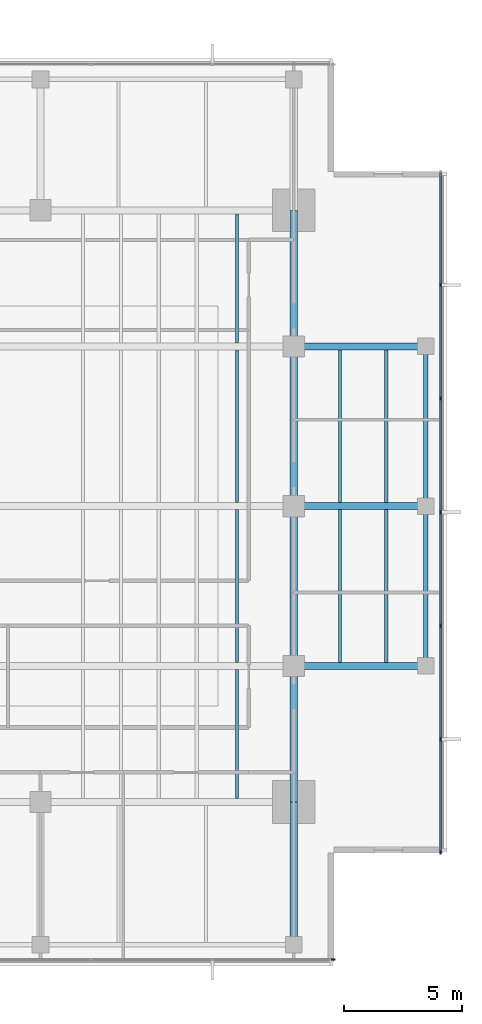
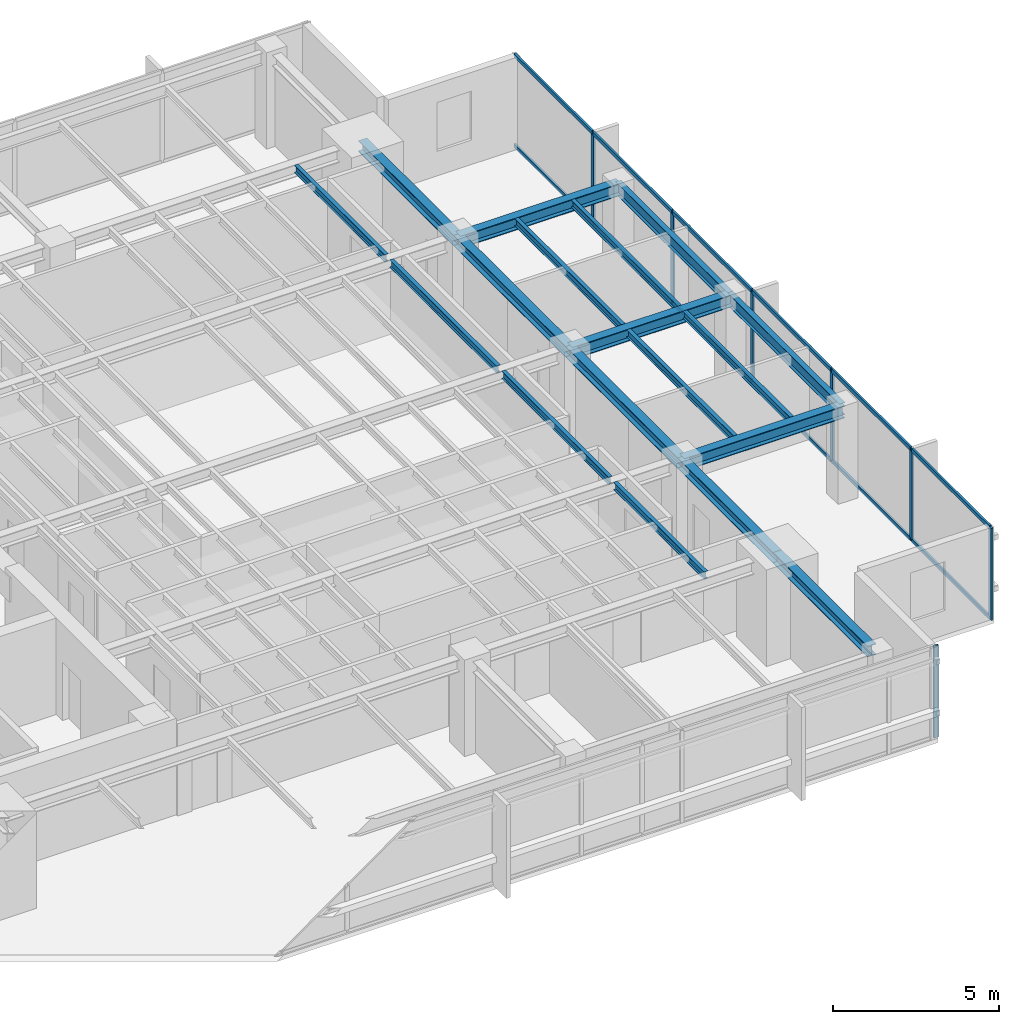
# One storey, part 4 of 14: 19 members, 18 beams, 2 elements without a shape of their own.
"""IFC4 building model written with IfcOpenShell, lengths in metres."""

from ifc_helpers import new_model, si_unit, direction, frame, origin, origin_2d, place, context, subcontext, project, spatial, rectangle, i_section, extrude, material, layer, layer_set, material_profile, profile_set, type_object, element, aggregate, save


model = new_model("IFC4")

# Units and contexts
model_context = context("Model", 3, precision=1e-05, world=origin(), true_north=direction((0.0, 1.0)))
body_context = subcontext(model_context, "Body", "Model", "MODEL_VIEW")
ifc_project = project(units=[si_unit("LENGTHUNIT", "METRE"), si_unit("AREAUNIT", "SQUARE_METRE"), si_unit("VOLUMEUNIT", "CUBIC_METRE"), si_unit("PLANEANGLEUNIT", "RADIAN"), si_unit("MASSUNIT", "GRAM", prefix="KILO")], contexts=[model_context])

# Site, building, storey
site_placement = place(None, origin())
site = spatial("IfcSite", under=ifc_project, at=site_placement, CompositionType="ELEMENT")
building_placement = place(site_placement, origin())
building = spatial("IfcBuilding", under=site, at=building_placement, Name="Kinhvarn Gate Tower", CompositionType="ELEMENT")
storey_placement = place(building_placement, frame((0.0, 0.0, 270.550048828125)))
storey = spatial("IfcBuildingStorey", under=building, at=storey_placement, Name="L72", CompositionType="ELEMENT", Elevation=270.550048828125)

# Curtain wall, member
ifc_material_1 = material(Name="Anodised aluminium AW-6063", Category="aluminium")
ifc_layer = layer(ifc_material_1, 0.179931640625)
ifc_layer_set = layer_set([ifc_layer], Name="Anodised aluminium AW-6063")
curtain_wall_type = type_object("IfcCurtainWallType", Name="CW-SYS-3", PredefinedType="NOTDEFINED", material=ifc_layer_set)
curtain_wall_1_placement = place(storey_placement, origin())
curtain_wall_1 = element("IfcCurtainWall", 1, at=curtain_wall_1_placement, inside=storey, type_object=curtain_wall_type, Name="Curtain Wall CW3 (L72)", PredefinedType="NOTDEFINED")
ifc_material_profile_1 = material_profile(ifc_material_1, rectangle(XDim=0.06494140625, YDim=0.159912109375, at=origin_2d()), Name="ALU 65x160")
ifc_profile_set_1 = profile_set([ifc_material_profile_1], Name="Anodised aluminium AW-6063")
member_type_1 = type_object("IfcMemberType", Name="CW-MUL-160", PredefinedType="MULLION", material=ifc_profile_set_1)
member_1_placement = place(storey_placement, frame((39.867431640625, 6.090087890625, 0.0), z_axis=(0.0, 0.0, 1.0), x_axis=(0.0, 1.0, 0.0)))
member_1 = element("IfcMember", 2, at=member_1_placement, type_object=member_type_1, Name="CW3 mullion 7", PredefinedType="MULLION", context=body_context, shape_type="SweptSolid", body=[
    extrude(rectangle(XDim=0.06494140625, YDim=0.159912109375, at=origin_2d()), origin(), (0.0, 0.0, 1.0), 3.389892578125),
])
aggregate(curtain_wall_1, [member_1])

# Curtain wall, members
curtain_wall_2_placement = place(storey_placement, origin())
curtain_wall_2 = element("IfcCurtainWall", 3, at=curtain_wall_2_placement, inside=storey, type_object=curtain_wall_type, Name="Curtain Wall CW3 (L72)", PredefinedType="NOTDEFINED")
member_2_placement = place(storey_placement, frame((44.409912109375, 10.632568359375, 0.0), z_axis=(0.0, 0.0, 1.0), x_axis=(-1.0, 0.0, 0.0)))
member_2 = element("IfcMember", 4, at=member_2_placement, type_object=member_type_1, Name="CW3 mullion 1", PredefinedType="MULLION", context=body_context, shape_type="SweptSolid", body=[
    extrude(rectangle(XDim=0.06494140625, YDim=0.159912109375, at=origin_2d()), origin(), (0.0, 0.0, 1.0), 3.389892578125),
])
member_3_placement = place(storey_placement, frame((44.409912109375, 15.39990234375, 0.0), z_axis=(0.0, 0.0, 1.0), x_axis=(-1.0, 0.0, 0.0)))
member_3 = element("IfcMember", 5, at=member_3_placement, type_object=member_type_1, Name="CW3 mullion 2", PredefinedType="MULLION", context=body_context, shape_type="SweptSolid", body=[
    extrude(rectangle(XDim=0.06494140625, YDim=0.159912109375, at=origin_2d()), origin(), (0.0, 0.0, 1.0), 3.389892578125),
])
member_4_placement = place(storey_placement, frame((44.409912109375, 20.199951171875, 0.0), z_axis=(0.0, 0.0, 1.0), x_axis=(-1.0, 0.0, 0.0)))
member_4 = element("IfcMember", 6, at=member_4_placement, type_object=member_type_1, Name="CW3 mullion 3", PredefinedType="MULLION", context=body_context, shape_type="SweptSolid", body=[
    extrude(rectangle(XDim=0.06494140625, YDim=0.159912109375, at=origin_2d()), origin(), (0.0, 0.0, 1.0), 3.389892578125),
])
member_5_placement = place(storey_placement, frame((44.409912109375, 25.0, 0.0), z_axis=(0.0, 0.0, 1.0), x_axis=(-1.0, 0.0, 0.0)))
member_5 = element("IfcMember", 7, at=member_5_placement, type_object=member_type_1, Name="CW3 mullion 4", PredefinedType="MULLION", context=body_context, shape_type="SweptSolid", body=[
    extrude(rectangle(XDim=0.06494140625, YDim=0.159912109375, at=origin_2d()), origin(), (0.0, 0.0, 1.0), 3.389892578125),
])
member_6_placement = place(storey_placement, frame((44.409912109375, 29.800048828125, 0.0), z_axis=(0.0, 0.0, 1.0), x_axis=(-1.0, 0.0, 0.0)))
member_6 = element("IfcMember", 8, at=member_6_placement, type_object=member_type_1, Name="CW3 mullion 5", PredefinedType="MULLION", context=body_context, shape_type="SweptSolid", body=[
    extrude(rectangle(XDim=0.06494140625, YDim=0.159912109375, at=origin_2d()), origin(), (0.0, 0.0, 1.0), 3.389892578125),
])
member_7_placement = place(storey_placement, frame((44.409912109375, 34.60009765625, 0.0), z_axis=(0.0, 0.0, 1.0), x_axis=(-1.0, 0.0, 0.0)))
member_7 = element("IfcMember", 9, at=member_7_placement, type_object=member_type_1, Name="CW3 mullion 6", PredefinedType="MULLION", context=body_context, shape_type="SweptSolid", body=[
    extrude(rectangle(XDim=0.06494140625, YDim=0.159912109375, at=origin_2d()), origin(), (0.0, 0.0, 1.0), 3.389892578125),
])
ifc_material_profile_2 = material_profile(ifc_material_1, rectangle(XDim=0.070068359375, YDim=0.139892578125, at=origin_2d()), Name="ALU 70x140")
ifc_profile_set_2 = profile_set([ifc_material_profile_2], Name="Anodised aluminium AW-6063")
member_type_2 = type_object("IfcMemberType", Name="CW-TRN-140", PredefinedType="USERDEFINED", material=ifc_profile_set_2)
member_8_placement = place(storey_placement, frame((44.409912109375, 10.6650390625, 0.034912109375), z_axis=(0.0, 1.0, 0.0), x_axis=(-1.0, 0.0, 0.0)))
member_8 = element("IfcMember", 10, at=member_8_placement, type_object=member_type_2, Name="CW3 transom 1.1", ObjectType="TRANSOM", PredefinedType="USERDEFINED", context=body_context, shape_type="SweptSolid", body=[
    extrude(rectangle(XDim=0.070068359375, YDim=0.139892578125, at=origin_2d()), origin(), (0.0, 0.0, 1.0), 4.702392578125),
])
member_9_placement = place(storey_placement, frame((44.409912109375, 10.6650390625, 3.35498046875), z_axis=(0.0, 1.0, 0.0), x_axis=(-1.0, 0.0, 0.0)))
member_9 = element("IfcMember", 11, at=member_9_placement, type_object=member_type_2, Name="CW3 transom 1.2", ObjectType="TRANSOM", PredefinedType="USERDEFINED", context=body_context, shape_type="SweptSolid", body=[
    extrude(rectangle(XDim=0.070068359375, YDim=0.139892578125, at=origin_2d()), origin(), (0.0, 0.0, 1.0), 4.702392578125),
])
member_10_placement = place(storey_placement, frame((44.409912109375, 15.4326171875, 0.034912109375), z_axis=(0.0, 1.0, 0.0), x_axis=(-1.0, 0.0, 0.0)))
member_10 = element("IfcMember", 12, at=member_10_placement, type_object=member_type_2, Name="CW3 transom 2.1", ObjectType="TRANSOM", PredefinedType="USERDEFINED", context=body_context, shape_type="SweptSolid", body=[
    extrude(rectangle(XDim=0.070068359375, YDim=0.139892578125, at=origin_2d()), origin(), (0.0, 0.0, 1.0), 4.73486328125),
])
member_11_placement = place(storey_placement, frame((44.409912109375, 15.4326171875, 3.35498046875), z_axis=(0.0, 1.0, 0.0), x_axis=(-1.0, 0.0, 0.0)))
member_11 = element("IfcMember", 13, at=member_11_placement, type_object=member_type_2, Name="CW3 transom 2.2", ObjectType="TRANSOM", PredefinedType="USERDEFINED", context=body_context, shape_type="SweptSolid", body=[
    extrude(rectangle(XDim=0.070068359375, YDim=0.139892578125, at=origin_2d()), origin(), (0.0, 0.0, 1.0), 4.73486328125),
])
member_12_placement = place(storey_placement, frame((44.409912109375, 20.232421875, 0.034912109375), z_axis=(0.0, 1.0, 0.0), x_axis=(-1.0, 0.0, 0.0)))
member_12 = element("IfcMember", 14, at=member_12_placement, type_object=member_type_2, Name="CW3 transom 3.1", ObjectType="TRANSOM", PredefinedType="USERDEFINED", context=body_context, shape_type="SweptSolid", body=[
    extrude(rectangle(XDim=0.070068359375, YDim=0.139892578125, at=origin_2d()), origin(), (0.0, 0.0, 1.0), 4.735107421875),
])
member_13_placement = place(storey_placement, frame((44.409912109375, 20.232421875, 3.35498046875), z_axis=(0.0, 1.0, 0.0), x_axis=(-1.0, 0.0, 0.0)))
member_13 = element("IfcMember", 15, at=member_13_placement, type_object=member_type_2, Name="CW3 transom 3.2", ObjectType="TRANSOM", PredefinedType="USERDEFINED", context=body_context, shape_type="SweptSolid", body=[
    extrude(rectangle(XDim=0.070068359375, YDim=0.139892578125, at=origin_2d()), origin(), (0.0, 0.0, 1.0), 4.735107421875),
])
member_14_placement = place(storey_placement, frame((44.409912109375, 25.032470703125, 0.034912109375), z_axis=(0.0, 1.0, 0.0), x_axis=(-1.0, 0.0, 0.0)))
member_14 = element("IfcMember", 16, at=member_14_placement, type_object=member_type_2, Name="CW3 transom 4.1", ObjectType="TRANSOM", PredefinedType="USERDEFINED", context=body_context, shape_type="SweptSolid", body=[
    extrude(rectangle(XDim=0.070068359375, YDim=0.139892578125, at=origin_2d()), origin(), (0.0, 0.0, 1.0), 4.735107421875),
])
member_15_placement = place(storey_placement, frame((44.409912109375, 25.032470703125, 3.35498046875), z_axis=(0.0, 1.0, 0.0), x_axis=(-1.0, 0.0, 0.0)))
member_15 = element("IfcMember", 17, at=member_15_placement, type_object=member_type_2, Name="CW3 transom 4.2", ObjectType="TRANSOM", PredefinedType="USERDEFINED", context=body_context, shape_type="SweptSolid", body=[
    extrude(rectangle(XDim=0.070068359375, YDim=0.139892578125, at=origin_2d()), origin(), (0.0, 0.0, 1.0), 4.735107421875),
])
member_16_placement = place(storey_placement, frame((44.409912109375, 29.83251953125, 0.034912109375), z_axis=(0.0, 1.0, 0.0), x_axis=(-1.0, 0.0, 0.0)))
member_16 = element("IfcMember", 18, at=member_16_placement, type_object=member_type_2, Name="CW3 transom 5.1", ObjectType="TRANSOM", PredefinedType="USERDEFINED", context=body_context, shape_type="SweptSolid", body=[
    extrude(rectangle(XDim=0.070068359375, YDim=0.139892578125, at=origin_2d()), origin(), (0.0, 0.0, 1.0), 4.73486328125),
])
member_17_placement = place(storey_placement, frame((44.409912109375, 29.83251953125, 3.35498046875), z_axis=(0.0, 1.0, 0.0), x_axis=(-1.0, 0.0, 0.0)))
member_17 = element("IfcMember", 19, at=member_17_placement, type_object=member_type_2, Name="CW3 transom 5.2", ObjectType="TRANSOM", PredefinedType="USERDEFINED", context=body_context, shape_type="SweptSolid", body=[
    extrude(rectangle(XDim=0.070068359375, YDim=0.139892578125, at=origin_2d()), origin(), (0.0, 0.0, 1.0), 4.73486328125),
])
member_18_placement = place(storey_placement, frame((44.409912109375, 34.632568359375, 0.034912109375), z_axis=(0.0, 1.0, 0.0), x_axis=(-1.0, 0.0, 0.0)))
member_18 = element("IfcMember", 20, at=member_18_placement, type_object=member_type_2, Name="CW3 transom 6.1", ObjectType="TRANSOM", PredefinedType="USERDEFINED", context=body_context, shape_type="SweptSolid", body=[
    extrude(rectangle(XDim=0.070068359375, YDim=0.139892578125, at=origin_2d()), origin(), (0.0, 0.0, 1.0), 4.702392578125),
])
member_19_placement = place(storey_placement, frame((44.409912109375, 34.632568359375, 3.35498046875), z_axis=(0.0, 1.0, 0.0), x_axis=(-1.0, 0.0, 0.0)))
member_19 = element("IfcMember", 21, at=member_19_placement, type_object=member_type_2, Name="CW3 transom 6.2", ObjectType="TRANSOM", PredefinedType="USERDEFINED", context=body_context, shape_type="SweptSolid", body=[
    extrude(rectangle(XDim=0.070068359375, YDim=0.139892578125, at=origin_2d()), origin(), (0.0, 0.0, 1.0), 4.702392578125),
])
aggregate(curtain_wall_2, [member_2, member_3, member_4, member_5, member_6, member_7, member_8, member_9, member_10, member_11, member_12, member_13, member_14, member_15, member_16, member_17, member_18, member_19])

# Beams
ifc_material_2 = material(Name="Steel S355", Category="steel")
ifc_material_profile_3 = material_profile(ifc_material_2, i_section(OverallWidth=0.300048828125, OverallDepth=0.39990234375, WebThickness=0.013427734375, FlangeThickness=0.02392578125, at=origin_2d()), Name="HEB 400")
ifc_profile_set_3 = profile_set([ifc_material_profile_3], Name="Steel S355")
beam_type_1 = type_object("IfcBeamType", Name="STL-HEB400", PredefinedType="BEAM", material=ifc_profile_set_3)
beam_1_placement = place(storey_placement, frame((38.199951171875, 7.054931640625, 3.18994140625), z_axis=(0.0, 1.0, 0.0), x_axis=(-1.0, 0.0, 0.0)))
element("IfcBeam", 22, at=beam_1_placement, inside=storey, type_object=beam_type_1, Name="Floor Beam PG-12 (L72 MCE-S)", PredefinedType="BEAM", context=body_context, shape_type="SweptSolid", body=[
    extrude(i_section(OverallWidth=0.300048828125, OverallDepth=0.39990234375, WebThickness=0.013427734375, FlangeThickness=0.02392578125, at=origin_2d()), origin(), (0.0, 0.0, 1.0), 5.695068359375),
])
beam_2_placement = place(storey_placement, frame((38.199951171875, 12.75, 3.18994140625), z_axis=(0.0, 1.0, 0.0), x_axis=(-1.0, 0.0, 0.0)))
element("IfcBeam", 23, at=beam_2_placement, inside=storey, type_object=beam_type_1, Name="Floor Beam PG-12 (L72 MG-E-12)", PredefinedType="BEAM", context=body_context, shape_type="SweptSolid", body=[
    extrude(i_section(OverallWidth=0.300048828125, OverallDepth=0.39990234375, WebThickness=0.013427734375, FlangeThickness=0.02392578125, at=origin_2d()), origin(), (0.0, 0.0, 1.0), 5.75),
])
for number, where, z_axis, x_axis, name in (
    (24, (38.199951171875, 18.5, 3.18994140625), (0.0, 1.0, 0.0), (-1.0, 0.0, 0.0), "Floor Beam PG-12 (L72 MG-E-18)"),
    (25, (38.199951171875, 25.25, 3.18994140625), (0.0, 1.0, 0.0), (-1.0, 0.0, 0.0), "Floor Beam PG-12 (L72 MG-E-25)"),
):
    element("IfcBeam", number, at=place(storey_placement, frame(where, z_axis=z_axis, x_axis=x_axis)), inside=storey, type_object=beam_type_1, Name=name, PredefinedType="BEAM", context=body_context, shape_type="SweptSolid", body=[
        extrude(i_section(OverallWidth=0.300048828125, OverallDepth=0.39990234375, WebThickness=0.013427734375, FlangeThickness=0.02392578125, at=origin_2d()), origin(), (0.0, 0.0, 1.0), 6.75),
    ])
beam_3_placement = place(storey_placement, frame((38.199951171875, 32.0, 3.18994140625), z_axis=(0.0, 1.0, 0.0), x_axis=(-1.0, 0.0, 0.0)))
element("IfcBeam", 26, at=beam_3_placement, inside=storey, type_object=beam_type_1, Name="Floor Beam PG-12 (L72 MG-E-32)", PredefinedType="BEAM", context=body_context, shape_type="SweptSolid", body=[
    extrude(i_section(OverallWidth=0.300048828125, OverallDepth=0.39990234375, WebThickness=0.013427734375, FlangeThickness=0.02392578125, at=origin_2d()), origin(), (0.0, 0.0, 1.0), 5.75),
])
ifc_material_profile_4 = material_profile(ifc_material_2, i_section(OverallWidth=0.300048828125, OverallDepth=0.449951171875, WebThickness=0.013916015625, FlangeThickness=0.02587890625, at=origin_2d()), Name="HEB 450")
ifc_profile_set_4 = profile_set([ifc_material_profile_4], Name="Steel S355")
beam_type_2 = type_object("IfcBeamType", Name="STL-HEB450", PredefinedType="BEAM", material=ifc_profile_set_4)
for number, where, z_axis, x_axis, name in (
    (27, (38.199951171875, 18.5, 3.1650390625), (1.0, 0.0, 0.0), (0.0, 1.0, 0.0), "Floor Beam PG-13 (L72 EW2-Y18)"),
    (28, (38.199951171875, 25.25, 3.1650390625), (1.0, 0.0, 0.0), (0.0, 1.0, 0.0), "Floor Beam PG-13 (L72 EW2-Y25)"),
    (29, (38.199951171875, 32.0, 3.1650390625), (1.0, 0.0, 0.0), (0.0, 1.0, 0.0), "Floor Beam PG-13 (L72 EW2-Y32)"),
):
    element("IfcBeam", number, at=place(storey_placement, frame(where, z_axis=z_axis, x_axis=x_axis)), inside=storey, type_object=beam_type_2, Name=name, PredefinedType="BEAM", context=body_context, shape_type="SweptSolid", body=[
        extrude(i_section(OverallWidth=0.300048828125, OverallDepth=0.449951171875, WebThickness=0.013916015625, FlangeThickness=0.02587890625, at=origin_2d()), origin(), (0.0, 0.0, 1.0), 5.580078125),
    ])
ifc_material_profile_5 = material_profile(ifc_material_2, i_section(OverallWidth=0.135009765625, OverallDepth=0.27001953125, WebThickness=0.006591796875, FlangeThickness=0.01025390625, at=origin_2d()), Name="IPE 270")
ifc_profile_set_5 = profile_set([ifc_material_profile_5], Name="Steel S355")
beam_type_3 = type_object("IfcBeamType", Name="STL-IPE270", PredefinedType="JOIST", material=ifc_profile_set_5)
beam_4_placement = place(storey_placement, frame((35.800048828125, 12.89990234375, 3.2548828125), z_axis=(0.0, 1.0, 0.0), x_axis=(-1.0, 0.0, 0.0)))
element("IfcBeam", 30, at=beam_4_placement, inside=storey, type_object=beam_type_3, Name="Floor Joist SB-01 (L72 JC-X358-0)", PredefinedType="JOIST", context=body_context, shape_type="SweptSolid", body=[
    extrude(i_section(OverallWidth=0.135009765625, OverallDepth=0.27001953125, WebThickness=0.006591796875, FlangeThickness=0.01025390625, at=origin_2d()), origin(), (0.0, 0.0, 1.0), 5.4501953125),
])
for number, where, z_axis, x_axis, name in (
    (31, (35.800048828125, 18.64990234375, 3.2548828125), (0.0, 1.0, 0.0), (-1.0, 0.0, 0.0), "Floor Joist SB-01 (L72 JC-X358-1)"),
    (32, (35.800048828125, 25.39990234375, 3.2548828125), (0.0, 1.0, 0.0), (-1.0, 0.0, 0.0), "Floor Joist SB-01 (L72 JC-X358-2)"),
):
    element("IfcBeam", number, at=place(storey_placement, frame(where, z_axis=z_axis, x_axis=x_axis)), inside=storey, type_object=beam_type_3, Name=name, PredefinedType="JOIST", context=body_context, shape_type="SweptSolid", body=[
        extrude(i_section(OverallWidth=0.135009765625, OverallDepth=0.27001953125, WebThickness=0.006591796875, FlangeThickness=0.01025390625, at=origin_2d()), origin(), (0.0, 0.0, 1.0), 6.4501953125),
    ])
beam_5_placement = place(storey_placement, frame((35.800048828125, 32.14990234375, 3.2548828125), z_axis=(0.0, 1.0, 0.0), x_axis=(-1.0, 0.0, 0.0)))
element("IfcBeam", 33, at=beam_5_placement, inside=storey, type_object=beam_type_3, Name="Floor Joist SB-01 (L72 JC-X358-3)", PredefinedType="JOIST", context=body_context, shape_type="SweptSolid", body=[
    extrude(i_section(OverallWidth=0.135009765625, OverallDepth=0.27001953125, WebThickness=0.006591796875, FlangeThickness=0.01025390625, at=origin_2d()), origin(), (0.0, 0.0, 1.0), 5.4501953125),
])
for number, where, z_axis, x_axis, name in (
    (34, (40.14990234375, 18.64990234375, 3.2548828125), (0.0, 1.0, 0.0), (-1.0, 0.0, 0.0), "Floor Joist SB-01 (L72 JC-X401-1)"),
    (35, (40.14990234375, 25.39990234375, 3.2548828125), (0.0, 1.0, 0.0), (-1.0, 0.0, 0.0), "Floor Joist SB-01 (L72 JC-X401-2)"),
    (36, (42.110107421875, 18.64990234375, 3.2548828125), (0.0, 1.0, 0.0), (-1.0, 0.0, 0.0), "Floor Joist SB-01 (L72 JC-X421-1)"),
    (37, (42.110107421875, 25.39990234375, 3.2548828125), (0.0, 1.0, 0.0), (-1.0, 0.0, 0.0), "Floor Joist SB-01 (L72 JC-X421-2)"),
):
    element("IfcBeam", number, at=place(storey_placement, frame(where, z_axis=z_axis, x_axis=x_axis)), inside=storey, type_object=beam_type_3, Name=name, PredefinedType="JOIST", context=body_context, shape_type="SweptSolid", body=[
        extrude(i_section(OverallWidth=0.135009765625, OverallDepth=0.27001953125, WebThickness=0.006591796875, FlangeThickness=0.01025390625, at=origin_2d()), origin(), (0.0, 0.0, 1.0), 6.4501953125),
    ])
ifc_material_profile_6 = material_profile(ifc_material_2, i_section(OverallWidth=0.18994140625, OverallDepth=0.449951171875, WebThickness=0.009521484375, FlangeThickness=0.0146484375, at=origin_2d()), Name="IPE 450")
ifc_profile_set_6 = profile_set([ifc_material_profile_6], Name="Steel S355")
beam_type_4 = type_object("IfcBeamType", Name="STL-IPE450", PredefinedType="JOIST", material=ifc_profile_set_6)
for number, where, z_axis, x_axis, name in (
    (38, (43.780029296875, 18.5, 3.1650390625), (0.0, 1.0, 0.0), (-1.0, 0.0, 0.0), "Floor Joist SB-06 (L72 SP-E2)"),
    (39, (43.780029296875, 25.25, 3.1650390625), (0.0, 1.0, 0.0), (-1.0, 0.0, 0.0), "Floor Joist SB-06 (L72 SP-E3)"),
):
    element("IfcBeam", number, at=place(storey_placement, frame(where, z_axis=z_axis, x_axis=x_axis)), inside=storey, type_object=beam_type_4, Name=name, PredefinedType="JOIST", context=body_context, shape_type="SweptSolid", body=[
        extrude(i_section(OverallWidth=0.18994140625, OverallDepth=0.449951171875, WebThickness=0.009521484375, FlangeThickness=0.0146484375, at=origin_2d()), origin(), (0.0, 0.0, 1.0), 6.75),
    ])

save(model, "model.ifc")
